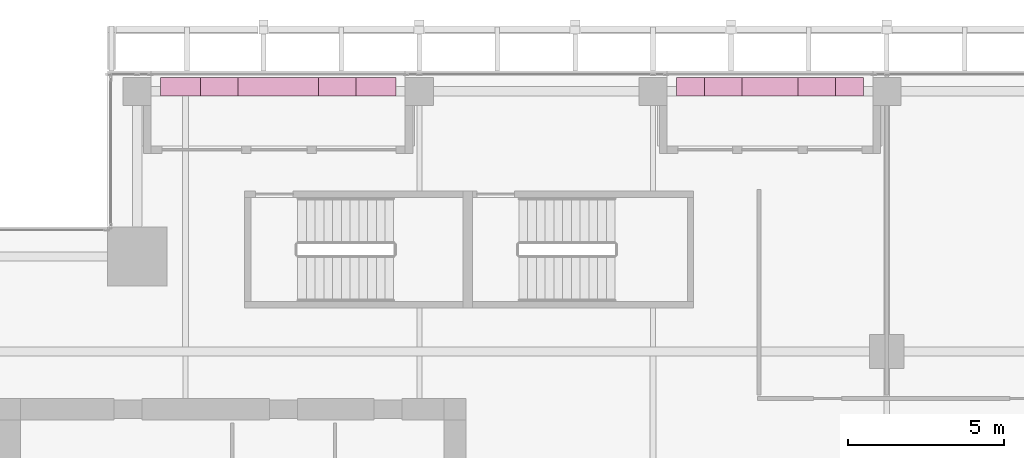
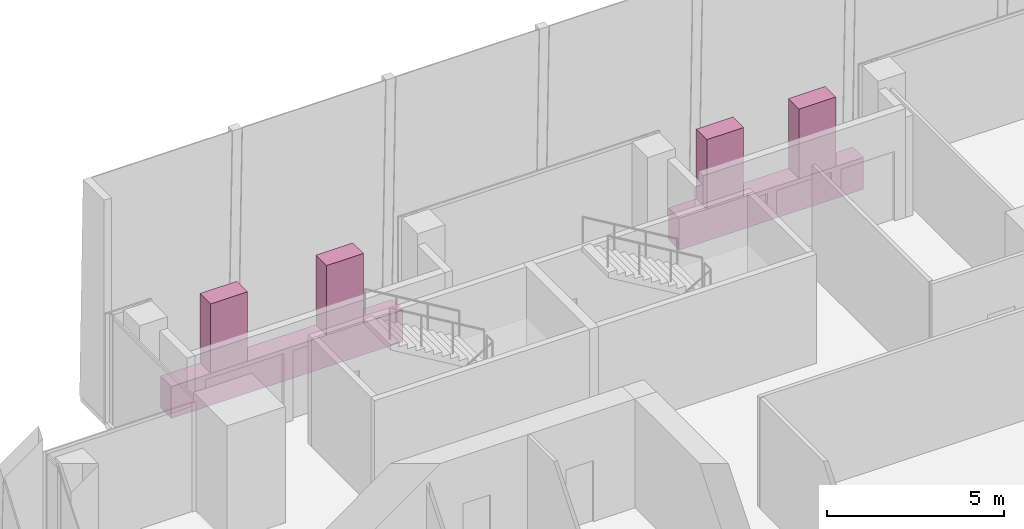
# One storey, part 35 of 35: 6 furnishings.
"""IFC4 building model written with IfcOpenShell, lengths in metres."""

from ifc_helpers import new_model, si_unit, direction, frame, origin, origin_2d, place, context, subcontext, project, spatial, rectangle, extrude, source, transform, mapped, material, type_object, element, save


model = new_model("IFC4")

# Units and contexts
model_context = context("Model", 3, precision=1e-05, world=origin(), true_north=direction((0.0, 1.0)))
body_context = subcontext(model_context, "Body", "Model", "MODEL_VIEW")
ifc_project = project(units=[si_unit("LENGTHUNIT", "METRE"), si_unit("AREAUNIT", "SQUARE_METRE"), si_unit("VOLUMEUNIT", "CUBIC_METRE"), si_unit("PLANEANGLEUNIT", "RADIAN"), si_unit("MASSUNIT", "GRAM", prefix="KILO")], contexts=[model_context])

# Site, building, storey
site_placement = place(None, origin())
site = spatial("IfcSite", under=ifc_project, at=site_placement, CompositionType="ELEMENT")
building_placement = place(site_placement, origin())
building = spatial("IfcBuilding", under=site, at=building_placement, Name="Khomas Fold Tower", CompositionType="ELEMENT")
storey_placement = place(building_placement, frame((0.0, 0.0, 266.199951171875)))
storey = spatial("IfcBuildingStorey", under=building, at=storey_placement, Name="L60", CompositionType="ELEMENT", Elevation=266.199951171875)

# Furnishings
ifc_material_1 = material(Name="Planting")
furnishing_element_type_1 = type_object("IfcFurnishingElementType", Name="BL-Tree Shepherd's tree", material=ifc_material_1)
shared_shape_1 = source(origin(), body_context, "Body", "SweptSolid", [
    extrude(rectangle(XDim=1.199951171875, YDim=0.60009765625, at=origin_2d()), origin(), (0.0, 0.0, 1.0), 2.39501953125),
])
furnishing_1_placement = place(storey_placement, frame((13.08740234375, 49.0, 1.054931640625), z_axis=(0.0, 0.0, 1.0), x_axis=(1.0, 0.0, 0.0)))
element("IfcFurnishingElement", 1, at=furnishing_1_placement, inside=storey, type_object=furnishing_element_type_1, Name="PLANTER (TREE) Shepherd's tree BAL-L60-N1-1", context=body_context, shape_type="MappedRepresentation", body=[
    mapped(shared_shape_1, transform((0.0, 0.0, 0.0))),
])
ifc_material_2 = material(Name="Planting")
furnishing_element_type_2 = type_object("IfcFurnishingElementType", Name="BL-Tree Karee", material=ifc_material_2)
for number, where, z_axis, x_axis, name in (
    (2, (16.862548828125, 49.0, 1.054931640625), (0.0, 0.0, 1.0), (1.0, 0.0, 0.0), "PLANTER (TREE) Karee BAL-L60-N1-2"),
    (3, (29.25, 49.0, 1.054931640625), (0.0, 0.0, 1.0), (1.0, 0.0, 0.0), "PLANTER (TREE) Karee BAL-L60-N3-1"),
):
    element("IfcFurnishingElement", number, at=place(storey_placement, frame(where, z_axis=z_axis, x_axis=x_axis)), inside=storey, type_object=furnishing_element_type_2, Name=name, context=body_context, shape_type="MappedRepresentation", body=[
        mapped(shared_shape_1, transform((0.0, 0.0, 0.0))),
    ])
ifc_material_3 = material(Name="Planting")
furnishing_element_type_3 = type_object("IfcFurnishingElementType", Name="BL-Tree Wild olive", material=ifc_material_3)
furnishing_2_placement = place(storey_placement, frame((32.25, 49.0, 1.054931640625), z_axis=(0.0, 0.0, 1.0), x_axis=(1.0, 0.0, 0.0)))
element("IfcFurnishingElement", 4, at=furnishing_2_placement, inside=storey, type_object=furnishing_element_type_3, Name="PLANTER (TREE) Wild olive BAL-L60-N3-2", context=body_context, shape_type="MappedRepresentation", body=[
    mapped(shared_shape_1, transform((0.0, 0.0, 0.0))),
])
ifc_material_4 = material(Name="Precast concrete C40/50", Category="concrete")
furnishing_element_type_4 = type_object("IfcFurnishingElementType", Name="BL-Structural planter box", material=ifc_material_4)
shared_shape_2 = source(origin(), body_context, "Body", "SweptSolid", [
    extrude(rectangle(XDim=7.550048828125, YDim=0.60009765625, at=origin_2d()), origin(), (0.0, 0.0, 1.0), 1.10009765625),
])
furnishing_3_placement = place(storey_placement, frame((14.97509765625, 49.0, -0.044921875), z_axis=(0.0, 0.0, 1.0), x_axis=(1.0, 0.0, 0.0)))
element("IfcFurnishingElement", 5, at=furnishing_3_placement, inside=storey, type_object=furnishing_element_type_4, Name="PLANTER BAL-L60-N1", context=body_context, shape_type="MappedRepresentation", body=[
    mapped(shared_shape_2, transform((0.0, 0.0, 0.0))),
])
shared_shape_3 = source(origin(), body_context, "Body", "SweptSolid", [
    extrude(rectangle(XDim=6.0, YDim=0.60009765625, at=origin_2d()), origin(), (0.0, 0.0, 1.0), 1.10009765625),
])
furnishing_4_placement = place(storey_placement, frame((30.75, 49.0, -0.044921875), z_axis=(0.0, 0.0, 1.0), x_axis=(1.0, 0.0, 0.0)))
element("IfcFurnishingElement", 6, at=furnishing_4_placement, inside=storey, type_object=furnishing_element_type_4, Name="PLANTER BAL-L60-N3", context=body_context, shape_type="MappedRepresentation", body=[
    mapped(shared_shape_3, transform((0.0, 0.0, 0.0))),
])

save(model, "model.ifc")
